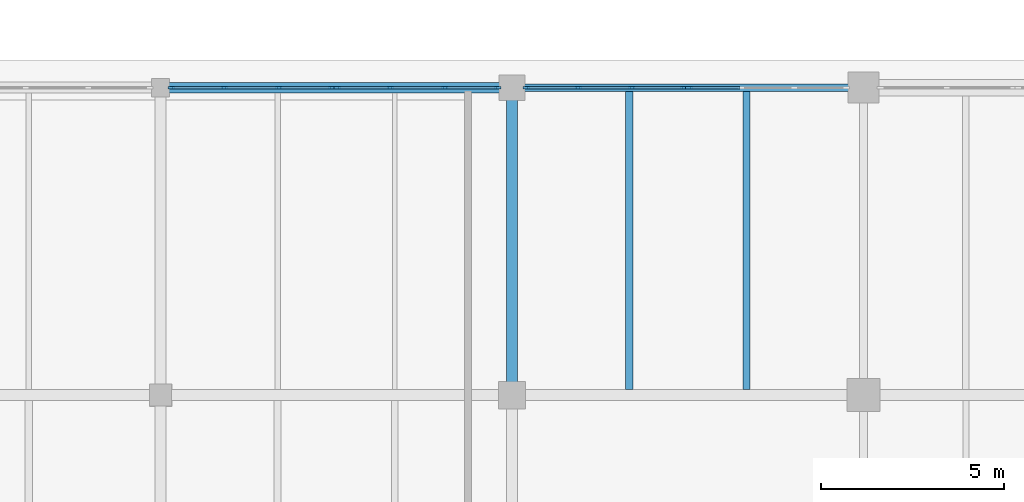
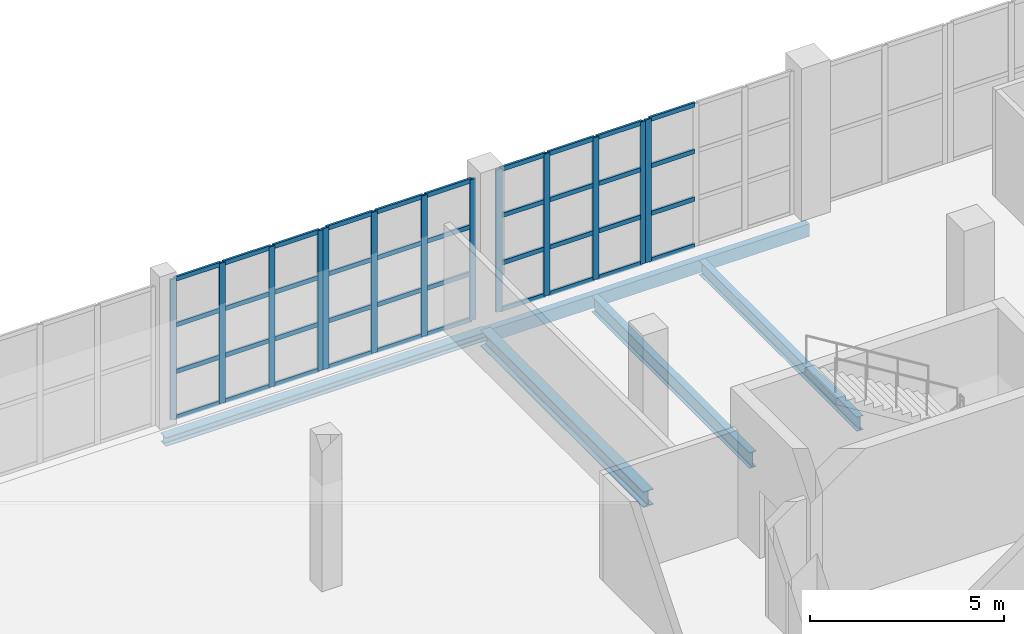
# One storey, part 13 of 121: 53 members, 5 beams, 4 elements without a shape of their own.
"""IFC4 building model written with IfcOpenShell, lengths in metres."""

from ifc_helpers import new_model, si_unit, direction, frame, origin, origin_2d, place, context, subcontext, project, spatial, rectangle, hollow_rectangle, i_section, extrude, material, layer, layer_set, material_profile, profile_set, type_object, element, aggregate, save


model = new_model("IFC4")

# Units and contexts
model_context = context("Model", 3, precision=1e-05, world=origin(), true_north=direction((0.0, 1.0)))
body_context = subcontext(model_context, "Body", "Model", "MODEL_VIEW")
ifc_project = project(units=[si_unit("LENGTHUNIT", "METRE"), si_unit("AREAUNIT", "SQUARE_METRE"), si_unit("VOLUMEUNIT", "CUBIC_METRE"), si_unit("PLANEANGLEUNIT", "RADIAN"), si_unit("MASSUNIT", "GRAM", prefix="KILO")], contexts=[model_context])

# Site, building, storey
site_placement = place(None, origin())
site = spatial("IfcSite", under=ifc_project, at=site_placement, CompositionType="ELEMENT")
building_placement = place(site_placement, origin())
building = spatial("IfcBuilding", under=site, at=building_placement, Name="Zereglee Splitstone Museum", CompositionType="ELEMENT")
storey_placement = place(building_placement, origin())
storey = spatial("IfcBuildingStorey", under=building, at=storey_placement, Name="L00", CompositionType="ELEMENT", Elevation=0.0)

# Curtain wall, member
ifc_material_1 = material(Name="Triple-glazed low-E argon glass and bronze-anodised aluminium", Category="aluminium")
ifc_layer_1 = layer(ifc_material_1, 0.179931640625)
ifc_layer_set_1 = layer_set([ifc_layer_1], Name="Triple-glazed low-E argon glass and bronze-anodised aluminium")
curtain_wall_type_1 = type_object("IfcCurtainWallType", Name="CW-0436-450", PredefinedType="USERDEFINED", material=ifc_layer_set_1)
curtain_wall_1_placement = place(storey_placement, origin())
curtain_wall_1 = element("IfcCurtainWall", 1, at=curtain_wall_1_placement, inside=storey, type_object=curtain_wall_type_1, Name="Glazed Curtain Wall CW-0436-450 (L00)", ObjectType="GLAZED CURTAIN WALL", PredefinedType="USERDEFINED")
ifc_material_2 = material(Name="Thermally broken bronze-anodised aluminium", Category="aluminium")
ifc_material_profile_1 = material_profile(ifc_material_2, rectangle(XDim=0.06494140625, YDim=0.179931640625, at=origin_2d()), Name="CW MULL 65x180")
ifc_profile_set_1 = profile_set([ifc_material_profile_1], Name="Thermally broken bronze-anodised aluminium")
member_type_1 = type_object("IfcMemberType", Name="CWM-01", PredefinedType="MULLION", material=ifc_profile_set_1)
member_1_placement = place(storey_placement, frame((34.8349609375, 38.39990234375, 0.0), z_axis=(0.0, 0.0, 1.0), x_axis=(0.0, -1.0, 0.0)))
member_1 = element("IfcMember", 2, at=member_1_placement, type_object=member_type_1, Name="CW-0436-450 mullion 4", PredefinedType="MULLION", context=body_context, shape_type="SweptSolid", body=[
    extrude(rectangle(XDim=0.06494140625, YDim=0.179931640625, at=origin_2d()), origin(), (0.0, 0.0, 1.0), 4.5),
])

# Curtain wall, members
ifc_layer_2 = layer(ifc_material_1, 0.179931640625)
ifc_layer_set_2 = layer_set([ifc_layer_2], Name="Triple-glazed low-E argon glass and bronze-anodised aluminium")
curtain_wall_type_2 = type_object("IfcCurtainWallType", Name="CW-0436-448", PredefinedType="USERDEFINED", material=ifc_layer_set_2)
curtain_wall_2_placement = place(storey_placement, origin())
curtain_wall_2 = element("IfcCurtainWall", 3, at=curtain_wall_2_placement, inside=storey, type_object=curtain_wall_type_2, Name="Glazed Curtain Wall CW-0436-448 (L00)", ObjectType="GLAZED CURTAIN WALL", PredefinedType="USERDEFINED")
member_2_placement = place(storey_placement, frame((34.68994140625, 38.39990234375, 0.0), z_axis=(0.0, 0.0, 1.0), x_axis=(0.0, -1.0, 0.0)))
member_2 = element("IfcMember", 4, at=member_2_placement, type_object=member_type_1, Name="CW-0436-448 mullion 1", PredefinedType="MULLION", context=body_context, shape_type="SweptSolid", body=[
    extrude(rectangle(XDim=0.06494140625, YDim=0.179931640625, at=origin_2d()), origin(), (0.0, 0.0, 1.0), 4.47998046875),
])
member_3_placement = place(storey_placement, frame((33.267578125, 38.39990234375, 0.0), z_axis=(0.0, 0.0, 1.0), x_axis=(0.0, -1.0, 0.0)))
member_3 = element("IfcMember", 5, at=member_3_placement, type_object=member_type_1, Name="CW-0436-448 mullion 2", PredefinedType="MULLION", context=body_context, shape_type="SweptSolid", body=[
    extrude(rectangle(XDim=0.06494140625, YDim=0.179931640625, at=origin_2d()), origin(), (0.0, 0.0, 1.0), 4.47998046875),
])
member_4_placement = place(storey_placement, frame((31.812744140625, 38.39990234375, 0.0), z_axis=(0.0, 0.0, 1.0), x_axis=(0.0, -1.0, 0.0)))
member_4 = element("IfcMember", 6, at=member_4_placement, type_object=member_type_1, Name="CW-0436-448 mullion 3", PredefinedType="MULLION", context=body_context, shape_type="SweptSolid", body=[
    extrude(rectangle(XDim=0.06494140625, YDim=0.179931640625, at=origin_2d()), origin(), (0.0, 0.0, 1.0), 4.47998046875),
])
member_5_placement = place(storey_placement, frame((30.390380859375, 38.39990234375, 0.0), z_axis=(0.0, 0.0, 1.0), x_axis=(0.0, -1.0, 0.0)))
member_5 = element("IfcMember", 7, at=member_5_placement, type_object=member_type_1, Name="CW-0436-448 mullion 4", PredefinedType="MULLION", context=body_context, shape_type="SweptSolid", body=[
    extrude(rectangle(XDim=0.06494140625, YDim=0.179931640625, at=origin_2d()), origin(), (0.0, 0.0, 1.0), 4.47998046875),
])

ifc_layer_3 = layer(ifc_material_1, 0.179931640625)
ifc_layer_set_3 = layer_set([ifc_layer_3], Name="Triple-glazed low-E argon glass and bronze-anodised aluminium")
curtain_wall_type_3 = type_object("IfcCurtainWallType", Name="CW-0445-444", PredefinedType="USERDEFINED", material=ifc_layer_set_3)
curtain_wall_3_placement = place(storey_placement, origin())
curtain_wall_3 = element("IfcCurtainWall", 8, at=curtain_wall_3_placement, inside=storey, type_object=curtain_wall_type_3, Name="Glazed Curtain Wall CW-0445-444 (L00)", ObjectType="GLAZED CURTAIN WALL", PredefinedType="USERDEFINED")
member_6_placement = place(storey_placement, frame((29.609619140625, 38.39990234375, 0.0), z_axis=(0.0, 0.0, 1.0), x_axis=(0.0, -1.0, 0.0)))
member_6 = element("IfcMember", 9, at=member_6_placement, type_object=member_type_1, Name="CW-0445-444 mullion 1", PredefinedType="MULLION", context=body_context, shape_type="SweptSolid", body=[
    extrude(rectangle(XDim=0.06494140625, YDim=0.179931640625, at=origin_2d()), origin(), (0.0, 0.0, 1.0), 4.43994140625),
])
member_7_placement = place(storey_placement, frame((28.157958984375, 38.39990234375, 0.0), z_axis=(0.0, 0.0, 1.0), x_axis=(0.0, -1.0, 0.0)))
member_7 = element("IfcMember", 10, at=member_7_placement, type_object=member_type_1, Name="CW-0445-444 mullion 2", PredefinedType="MULLION", context=body_context, shape_type="SweptSolid", body=[
    extrude(rectangle(XDim=0.06494140625, YDim=0.179931640625, at=origin_2d()), origin(), (0.0, 0.0, 1.0), 4.43994140625),
])
member_8_placement = place(storey_placement, frame((26.674072265625, 38.39990234375, 0.0), z_axis=(0.0, 0.0, 1.0), x_axis=(0.0, -1.0, 0.0)))
member_8 = element("IfcMember", 11, at=member_8_placement, type_object=member_type_1, Name="CW-0445-444 mullion 3", PredefinedType="MULLION", context=body_context, shape_type="SweptSolid", body=[
    extrude(rectangle(XDim=0.06494140625, YDim=0.179931640625, at=origin_2d()), origin(), (0.0, 0.0, 1.0), 4.43994140625),
])
member_9_placement = place(storey_placement, frame((25.222412109375, 38.39990234375, 0.0), z_axis=(0.0, 0.0, 1.0), x_axis=(0.0, -1.0, 0.0)))
member_9 = element("IfcMember", 12, at=member_9_placement, type_object=member_type_1, Name="CW-0445-444 mullion 4", PredefinedType="MULLION", context=body_context, shape_type="SweptSolid", body=[
    extrude(rectangle(XDim=0.06494140625, YDim=0.179931640625, at=origin_2d()), origin(), (0.0, 0.0, 1.0), 4.43994140625),
])

ifc_layer_4 = layer(ifc_material_1, 0.179931640625)
ifc_layer_set_4 = layer_set([ifc_layer_4], Name="Triple-glazed low-E argon glass and bronze-anodised aluminium")
curtain_wall_type_4 = type_object("IfcCurtainWallType", Name="CW-0445-442", PredefinedType="USERDEFINED", material=ifc_layer_set_4)
curtain_wall_4_placement = place(storey_placement, origin())
curtain_wall_4 = element("IfcCurtainWall", 13, at=curtain_wall_4_placement, inside=storey, type_object=curtain_wall_type_4, Name="Glazed Curtain Wall CW-0445-442 (L00)", ObjectType="GLAZED CURTAIN WALL", PredefinedType="USERDEFINED")
member_10_placement = place(storey_placement, frame((25.077392578125, 38.39990234375, 0.0), z_axis=(0.0, 0.0, 1.0), x_axis=(0.0, -1.0, 0.0)))
member_10 = element("IfcMember", 14, at=member_10_placement, type_object=member_type_1, Name="CW-0445-442 mullion 1", PredefinedType="MULLION", context=body_context, shape_type="SweptSolid", body=[
    extrude(rectangle(XDim=0.06494140625, YDim=0.179931640625, at=origin_2d()), origin(), (0.0, 0.0, 1.0), 4.419921875),
])
member_11_placement = place(storey_placement, frame((23.6259765625, 38.39990234375, 0.0), z_axis=(0.0, 0.0, 1.0), x_axis=(0.0, -1.0, 0.0)))
member_11 = element("IfcMember", 15, at=member_11_placement, type_object=member_type_1, Name="CW-0445-442 mullion 2", PredefinedType="MULLION", context=body_context, shape_type="SweptSolid", body=[
    extrude(rectangle(XDim=0.06494140625, YDim=0.179931640625, at=origin_2d()), origin(), (0.0, 0.0, 1.0), 4.419921875),
])
member_12_placement = place(storey_placement, frame((22.14208984375, 38.39990234375, 0.0), z_axis=(0.0, 0.0, 1.0), x_axis=(0.0, -1.0, 0.0)))
member_12 = element("IfcMember", 16, at=member_12_placement, type_object=member_type_1, Name="CW-0445-442 mullion 3", PredefinedType="MULLION", context=body_context, shape_type="SweptSolid", body=[
    extrude(rectangle(XDim=0.06494140625, YDim=0.179931640625, at=origin_2d()), origin(), (0.0, 0.0, 1.0), 4.419921875),
])
member_13_placement = place(storey_placement, frame((20.6904296875, 38.39990234375, 0.0), z_axis=(0.0, 0.0, 1.0), x_axis=(0.0, -1.0, 0.0)))
member_13 = element("IfcMember", 17, at=member_13_placement, type_object=member_type_1, Name="CW-0445-442 mullion 4", PredefinedType="MULLION", context=body_context, shape_type="SweptSolid", body=[
    extrude(rectangle(XDim=0.06494140625, YDim=0.179931640625, at=origin_2d()), origin(), (0.0, 0.0, 1.0), 4.419921875),
])

# Member
ifc_material_profile_2 = material_profile(ifc_material_2, rectangle(XDim=0.06494140625, YDim=0.139892578125, at=origin_2d()), Name="CW TRAN 65x140")
ifc_profile_set_2 = profile_set([ifc_material_profile_2], Name="Thermally broken bronze-anodised aluminium")
member_type_2 = type_object("IfcMemberType", Name="CWT-01", PredefinedType="USERDEFINED", material=ifc_profile_set_2)
member_14_placement = place(storey_placement, frame((36.224853515625, 38.39990234375, 0.032470703125), z_axis=(-1.0, 0.0, 0.0), x_axis=(0.0, -1.0, 0.0)))
member_14 = element("IfcMember", 18, at=member_14_placement, type_object=member_type_2, Name="CW-0436-450 transom 3.1", ObjectType="TRANSOM", PredefinedType="USERDEFINED", context=body_context, shape_type="SweptSolid", body=[
    extrude(rectangle(XDim=0.06494140625, YDim=0.139892578125, at=origin_2d()), origin(), (0.0, 0.0, 1.0), 1.357421875),
])

member_15_placement = place(storey_placement, frame((36.224853515625, 38.39990234375, 1.5), z_axis=(-1.0, 0.0, 0.0), x_axis=(0.0, -1.0, 0.0)))
member_15 = element("IfcMember", 19, at=member_15_placement, type_object=member_type_2, Name="CW-0436-450 transom 3.2", ObjectType="TRANSOM", PredefinedType="USERDEFINED", context=body_context, shape_type="SweptSolid", body=[
    extrude(rectangle(XDim=0.06494140625, YDim=0.139892578125, at=origin_2d()), origin(), (0.0, 0.0, 1.0), 1.357421875),
])

member_16_placement = place(storey_placement, frame((36.224853515625, 38.39990234375, 3.0), z_axis=(-1.0, 0.0, 0.0), x_axis=(0.0, -1.0, 0.0)))
member_16 = element("IfcMember", 20, at=member_16_placement, type_object=member_type_2, Name="CW-0436-450 transom 3.3", ObjectType="TRANSOM", PredefinedType="USERDEFINED", context=body_context, shape_type="SweptSolid", body=[
    extrude(rectangle(XDim=0.06494140625, YDim=0.139892578125, at=origin_2d()), origin(), (0.0, 0.0, 1.0), 1.357421875),
])

member_17_placement = place(storey_placement, frame((36.224853515625, 38.39990234375, 4.467529296875), z_axis=(-1.0, 0.0, 0.0), x_axis=(0.0, -1.0, 0.0)))
member_17 = element("IfcMember", 21, at=member_17_placement, type_object=member_type_2, Name="CW-0436-450 transom 3.4", ObjectType="TRANSOM", PredefinedType="USERDEFINED", context=body_context, shape_type="SweptSolid", body=[
    extrude(rectangle(XDim=0.06494140625, YDim=0.139892578125, at=origin_2d()), origin(), (0.0, 0.0, 1.0), 1.357421875),
])

aggregate(curtain_wall_1, [member_1, member_14, member_15, member_16, member_17])

member_18_placement = place(storey_placement, frame((34.657470703125, 38.39990234375, 0.032470703125), z_axis=(-1.0, 0.0, 0.0), x_axis=(0.0, -1.0, 0.0)))
member_18 = element("IfcMember", 22, at=member_18_placement, type_object=member_type_2, Name="CW-0436-448 transom 1.1", ObjectType="TRANSOM", PredefinedType="USERDEFINED", context=body_context, shape_type="SweptSolid", body=[
    extrude(rectangle(XDim=0.06494140625, YDim=0.139892578125, at=origin_2d()), origin(), (0.0, 0.0, 1.0), 1.357421875),
])

member_19_placement = place(storey_placement, frame((34.657470703125, 38.39990234375, 1.493408203125), z_axis=(-1.0, 0.0, 0.0), x_axis=(0.0, -1.0, 0.0)))
member_19 = element("IfcMember", 23, at=member_19_placement, type_object=member_type_2, Name="CW-0436-448 transom 1.2", ObjectType="TRANSOM", PredefinedType="USERDEFINED", context=body_context, shape_type="SweptSolid", body=[
    extrude(rectangle(XDim=0.06494140625, YDim=0.139892578125, at=origin_2d()), origin(), (0.0, 0.0, 1.0), 1.357421875),
])

member_20_placement = place(storey_placement, frame((34.657470703125, 38.39990234375, 2.98681640625), z_axis=(-1.0, 0.0, 0.0), x_axis=(0.0, -1.0, 0.0)))
member_20 = element("IfcMember", 24, at=member_20_placement, type_object=member_type_2, Name="CW-0436-448 transom 1.3", ObjectType="TRANSOM", PredefinedType="USERDEFINED", context=body_context, shape_type="SweptSolid", body=[
    extrude(rectangle(XDim=0.06494140625, YDim=0.139892578125, at=origin_2d()), origin(), (0.0, 0.0, 1.0), 1.357421875),
])

member_21_placement = place(storey_placement, frame((34.657470703125, 38.39990234375, 4.447509765625), z_axis=(-1.0, 0.0, 0.0), x_axis=(0.0, -1.0, 0.0)))
member_21 = element("IfcMember", 25, at=member_21_placement, type_object=member_type_2, Name="CW-0436-448 transom 1.4", ObjectType="TRANSOM", PredefinedType="USERDEFINED", context=body_context, shape_type="SweptSolid", body=[
    extrude(rectangle(XDim=0.06494140625, YDim=0.139892578125, at=origin_2d()), origin(), (0.0, 0.0, 1.0), 1.357421875),
])

member_22_placement = place(storey_placement, frame((33.235107421875, 38.39990234375, 0.032470703125), z_axis=(-1.0, 0.0, 0.0), x_axis=(0.0, -1.0, 0.0)))
member_22 = element("IfcMember", 26, at=member_22_placement, type_object=member_type_2, Name="CW-0436-448 transom 2.1", ObjectType="TRANSOM", PredefinedType="USERDEFINED", context=body_context, shape_type="SweptSolid", body=[
    extrude(rectangle(XDim=0.06494140625, YDim=0.139892578125, at=origin_2d()), origin(), (0.0, 0.0, 1.0), 1.389892578125),
])

member_23_placement = place(storey_placement, frame((33.235107421875, 38.39990234375, 1.493408203125), z_axis=(-1.0, 0.0, 0.0), x_axis=(0.0, -1.0, 0.0)))
member_23 = element("IfcMember", 27, at=member_23_placement, type_object=member_type_2, Name="CW-0436-448 transom 2.2", ObjectType="TRANSOM", PredefinedType="USERDEFINED", context=body_context, shape_type="SweptSolid", body=[
    extrude(rectangle(XDim=0.06494140625, YDim=0.139892578125, at=origin_2d()), origin(), (0.0, 0.0, 1.0), 1.389892578125),
])

member_24_placement = place(storey_placement, frame((33.235107421875, 38.39990234375, 2.98681640625), z_axis=(-1.0, 0.0, 0.0), x_axis=(0.0, -1.0, 0.0)))
member_24 = element("IfcMember", 28, at=member_24_placement, type_object=member_type_2, Name="CW-0436-448 transom 2.3", ObjectType="TRANSOM", PredefinedType="USERDEFINED", context=body_context, shape_type="SweptSolid", body=[
    extrude(rectangle(XDim=0.06494140625, YDim=0.139892578125, at=origin_2d()), origin(), (0.0, 0.0, 1.0), 1.389892578125),
])

member_25_placement = place(storey_placement, frame((33.235107421875, 38.39990234375, 4.447509765625), z_axis=(-1.0, 0.0, 0.0), x_axis=(0.0, -1.0, 0.0)))
member_25 = element("IfcMember", 29, at=member_25_placement, type_object=member_type_2, Name="CW-0436-448 transom 2.4", ObjectType="TRANSOM", PredefinedType="USERDEFINED", context=body_context, shape_type="SweptSolid", body=[
    extrude(rectangle(XDim=0.06494140625, YDim=0.139892578125, at=origin_2d()), origin(), (0.0, 0.0, 1.0), 1.389892578125),
])

member_26_placement = place(storey_placement, frame((31.7802734375, 38.39990234375, 0.032470703125), z_axis=(-1.0, 0.0, 0.0), x_axis=(0.0, -1.0, 0.0)))
member_26 = element("IfcMember", 30, at=member_26_placement, type_object=member_type_2, Name="CW-0436-448 transom 3.1", ObjectType="TRANSOM", PredefinedType="USERDEFINED", context=body_context, shape_type="SweptSolid", body=[
    extrude(rectangle(XDim=0.06494140625, YDim=0.139892578125, at=origin_2d()), origin(), (0.0, 0.0, 1.0), 1.357177734375),
])

member_27_placement = place(storey_placement, frame((31.7802734375, 38.39990234375, 1.493408203125), z_axis=(-1.0, 0.0, 0.0), x_axis=(0.0, -1.0, 0.0)))
member_27 = element("IfcMember", 31, at=member_27_placement, type_object=member_type_2, Name="CW-0436-448 transom 3.2", ObjectType="TRANSOM", PredefinedType="USERDEFINED", context=body_context, shape_type="SweptSolid", body=[
    extrude(rectangle(XDim=0.06494140625, YDim=0.139892578125, at=origin_2d()), origin(), (0.0, 0.0, 1.0), 1.357177734375),
])

member_28_placement = place(storey_placement, frame((31.7802734375, 38.39990234375, 2.98681640625), z_axis=(-1.0, 0.0, 0.0), x_axis=(0.0, -1.0, 0.0)))
member_28 = element("IfcMember", 32, at=member_28_placement, type_object=member_type_2, Name="CW-0436-448 transom 3.3", ObjectType="TRANSOM", PredefinedType="USERDEFINED", context=body_context, shape_type="SweptSolid", body=[
    extrude(rectangle(XDim=0.06494140625, YDim=0.139892578125, at=origin_2d()), origin(), (0.0, 0.0, 1.0), 1.357177734375),
])

member_29_placement = place(storey_placement, frame((31.7802734375, 38.39990234375, 4.447509765625), z_axis=(-1.0, 0.0, 0.0), x_axis=(0.0, -1.0, 0.0)))
member_29 = element("IfcMember", 33, at=member_29_placement, type_object=member_type_2, Name="CW-0436-448 transom 3.4", ObjectType="TRANSOM", PredefinedType="USERDEFINED", context=body_context, shape_type="SweptSolid", body=[
    extrude(rectangle(XDim=0.06494140625, YDim=0.139892578125, at=origin_2d()), origin(), (0.0, 0.0, 1.0), 1.357177734375),
])

aggregate(curtain_wall_2, [member_2, member_3, member_4, member_5, member_18, member_19, member_20, member_21, member_22, member_23, member_24, member_25, member_26, member_27, member_28, member_29])

member_30_placement = place(storey_placement, frame((29.576904296875, 38.39990234375, 0.032470703125), z_axis=(-1.0, 0.0, 0.0), x_axis=(0.0, -1.0, 0.0)))
member_30 = element("IfcMember", 34, at=member_30_placement, type_object=member_type_2, Name="CW-0445-444 transom 1.1", ObjectType="TRANSOM", PredefinedType="USERDEFINED", context=body_context, shape_type="SweptSolid", body=[
    extrude(rectangle(XDim=0.06494140625, YDim=0.139892578125, at=origin_2d()), origin(), (0.0, 0.0, 1.0), 1.386474609375),
])

member_31_placement = place(storey_placement, frame((29.576904296875, 38.39990234375, 1.47998046875), z_axis=(-1.0, 0.0, 0.0), x_axis=(0.0, -1.0, 0.0)))
member_31 = element("IfcMember", 35, at=member_31_placement, type_object=member_type_2, Name="CW-0445-444 transom 1.2", ObjectType="TRANSOM", PredefinedType="USERDEFINED", context=body_context, shape_type="SweptSolid", body=[
    extrude(rectangle(XDim=0.06494140625, YDim=0.139892578125, at=origin_2d()), origin(), (0.0, 0.0, 1.0), 1.386474609375),
])

member_32_placement = place(storey_placement, frame((29.576904296875, 38.39990234375, 2.9599609375), z_axis=(-1.0, 0.0, 0.0), x_axis=(0.0, -1.0, 0.0)))
member_32 = element("IfcMember", 36, at=member_32_placement, type_object=member_type_2, Name="CW-0445-444 transom 1.3", ObjectType="TRANSOM", PredefinedType="USERDEFINED", context=body_context, shape_type="SweptSolid", body=[
    extrude(rectangle(XDim=0.06494140625, YDim=0.139892578125, at=origin_2d()), origin(), (0.0, 0.0, 1.0), 1.386474609375),
])

member_33_placement = place(storey_placement, frame((29.576904296875, 38.39990234375, 4.407470703125), z_axis=(-1.0, 0.0, 0.0), x_axis=(0.0, -1.0, 0.0)))
member_33 = element("IfcMember", 37, at=member_33_placement, type_object=member_type_2, Name="CW-0445-444 transom 1.4", ObjectType="TRANSOM", PredefinedType="USERDEFINED", context=body_context, shape_type="SweptSolid", body=[
    extrude(rectangle(XDim=0.06494140625, YDim=0.139892578125, at=origin_2d()), origin(), (0.0, 0.0, 1.0), 1.386474609375),
])

member_34_placement = place(storey_placement, frame((28.12548828125, 38.39990234375, 0.032470703125), z_axis=(-1.0, 0.0, 0.0), x_axis=(0.0, -1.0, 0.0)))
member_34 = element("IfcMember", 38, at=member_34_placement, type_object=member_type_2, Name="CW-0445-444 transom 2.1", ObjectType="TRANSOM", PredefinedType="USERDEFINED", context=body_context, shape_type="SweptSolid", body=[
    extrude(rectangle(XDim=0.06494140625, YDim=0.139892578125, at=origin_2d()), origin(), (0.0, 0.0, 1.0), 1.4189453125),
])

member_35_placement = place(storey_placement, frame((28.12548828125, 38.39990234375, 1.47998046875), z_axis=(-1.0, 0.0, 0.0), x_axis=(0.0, -1.0, 0.0)))
member_35 = element("IfcMember", 39, at=member_35_placement, type_object=member_type_2, Name="CW-0445-444 transom 2.2", ObjectType="TRANSOM", PredefinedType="USERDEFINED", context=body_context, shape_type="SweptSolid", body=[
    extrude(rectangle(XDim=0.06494140625, YDim=0.139892578125, at=origin_2d()), origin(), (0.0, 0.0, 1.0), 1.4189453125),
])

member_36_placement = place(storey_placement, frame((28.12548828125, 38.39990234375, 2.9599609375), z_axis=(-1.0, 0.0, 0.0), x_axis=(0.0, -1.0, 0.0)))
member_36 = element("IfcMember", 40, at=member_36_placement, type_object=member_type_2, Name="CW-0445-444 transom 2.3", ObjectType="TRANSOM", PredefinedType="USERDEFINED", context=body_context, shape_type="SweptSolid", body=[
    extrude(rectangle(XDim=0.06494140625, YDim=0.139892578125, at=origin_2d()), origin(), (0.0, 0.0, 1.0), 1.4189453125),
])

member_37_placement = place(storey_placement, frame((28.12548828125, 38.39990234375, 4.407470703125), z_axis=(-1.0, 0.0, 0.0), x_axis=(0.0, -1.0, 0.0)))
member_37 = element("IfcMember", 41, at=member_37_placement, type_object=member_type_2, Name="CW-0445-444 transom 2.4", ObjectType="TRANSOM", PredefinedType="USERDEFINED", context=body_context, shape_type="SweptSolid", body=[
    extrude(rectangle(XDim=0.06494140625, YDim=0.139892578125, at=origin_2d()), origin(), (0.0, 0.0, 1.0), 1.4189453125),
])

member_38_placement = place(storey_placement, frame((26.6416015625, 38.39990234375, 0.032470703125), z_axis=(-1.0, 0.0, 0.0), x_axis=(0.0, -1.0, 0.0)))
member_38 = element("IfcMember", 42, at=member_38_placement, type_object=member_type_2, Name="CW-0445-444 transom 3.1", ObjectType="TRANSOM", PredefinedType="USERDEFINED", context=body_context, shape_type="SweptSolid", body=[
    extrude(rectangle(XDim=0.06494140625, YDim=0.139892578125, at=origin_2d()), origin(), (0.0, 0.0, 1.0), 1.38671875),
])

member_39_placement = place(storey_placement, frame((26.6416015625, 38.39990234375, 1.47998046875), z_axis=(-1.0, 0.0, 0.0), x_axis=(0.0, -1.0, 0.0)))
member_39 = element("IfcMember", 43, at=member_39_placement, type_object=member_type_2, Name="CW-0445-444 transom 3.2", ObjectType="TRANSOM", PredefinedType="USERDEFINED", context=body_context, shape_type="SweptSolid", body=[
    extrude(rectangle(XDim=0.06494140625, YDim=0.139892578125, at=origin_2d()), origin(), (0.0, 0.0, 1.0), 1.38671875),
])

member_40_placement = place(storey_placement, frame((26.6416015625, 38.39990234375, 2.9599609375), z_axis=(-1.0, 0.0, 0.0), x_axis=(0.0, -1.0, 0.0)))
member_40 = element("IfcMember", 44, at=member_40_placement, type_object=member_type_2, Name="CW-0445-444 transom 3.3", ObjectType="TRANSOM", PredefinedType="USERDEFINED", context=body_context, shape_type="SweptSolid", body=[
    extrude(rectangle(XDim=0.06494140625, YDim=0.139892578125, at=origin_2d()), origin(), (0.0, 0.0, 1.0), 1.38671875),
])

member_41_placement = place(storey_placement, frame((26.6416015625, 38.39990234375, 4.407470703125), z_axis=(-1.0, 0.0, 0.0), x_axis=(0.0, -1.0, 0.0)))
member_41 = element("IfcMember", 45, at=member_41_placement, type_object=member_type_2, Name="CW-0445-444 transom 3.4", ObjectType="TRANSOM", PredefinedType="USERDEFINED", context=body_context, shape_type="SweptSolid", body=[
    extrude(rectangle(XDim=0.06494140625, YDim=0.139892578125, at=origin_2d()), origin(), (0.0, 0.0, 1.0), 1.38671875),
])

aggregate(curtain_wall_3, [member_6, member_7, member_8, member_9, member_30, member_31, member_32, member_33, member_34, member_35, member_36, member_37, member_38, member_39, member_40, member_41])

member_42_placement = place(storey_placement, frame((25.044921875, 38.39990234375, 0.032470703125), z_axis=(-1.0, 0.0, 0.0), x_axis=(0.0, -1.0, 0.0)))
member_42 = element("IfcMember", 46, at=member_42_placement, type_object=member_type_2, Name="CW-0445-442 transom 1.1", ObjectType="TRANSOM", PredefinedType="USERDEFINED", context=body_context, shape_type="SweptSolid", body=[
    extrude(rectangle(XDim=0.06494140625, YDim=0.139892578125, at=origin_2d()), origin(), (0.0, 0.0, 1.0), 1.386474609375),
])

member_43_placement = place(storey_placement, frame((25.044921875, 38.39990234375, 1.473388671875), z_axis=(-1.0, 0.0, 0.0), x_axis=(0.0, -1.0, 0.0)))
member_43 = element("IfcMember", 47, at=member_43_placement, type_object=member_type_2, Name="CW-0445-442 transom 1.2", ObjectType="TRANSOM", PredefinedType="USERDEFINED", context=body_context, shape_type="SweptSolid", body=[
    extrude(rectangle(XDim=0.06494140625, YDim=0.139892578125, at=origin_2d()), origin(), (0.0, 0.0, 1.0), 1.386474609375),
])

member_44_placement = place(storey_placement, frame((25.044921875, 38.39990234375, 2.94677734375), z_axis=(-1.0, 0.0, 0.0), x_axis=(0.0, -1.0, 0.0)))
member_44 = element("IfcMember", 48, at=member_44_placement, type_object=member_type_2, Name="CW-0445-442 transom 1.3", ObjectType="TRANSOM", PredefinedType="USERDEFINED", context=body_context, shape_type="SweptSolid", body=[
    extrude(rectangle(XDim=0.06494140625, YDim=0.139892578125, at=origin_2d()), origin(), (0.0, 0.0, 1.0), 1.386474609375),
])

member_45_placement = place(storey_placement, frame((25.044921875, 38.39990234375, 4.387451171875), z_axis=(-1.0, 0.0, 0.0), x_axis=(0.0, -1.0, 0.0)))
member_45 = element("IfcMember", 49, at=member_45_placement, type_object=member_type_2, Name="CW-0445-442 transom 1.4", ObjectType="TRANSOM", PredefinedType="USERDEFINED", context=body_context, shape_type="SweptSolid", body=[
    extrude(rectangle(XDim=0.06494140625, YDim=0.139892578125, at=origin_2d()), origin(), (0.0, 0.0, 1.0), 1.386474609375),
])

member_46_placement = place(storey_placement, frame((23.593505859375, 38.39990234375, 0.032470703125), z_axis=(-1.0, 0.0, 0.0), x_axis=(0.0, -1.0, 0.0)))
member_46 = element("IfcMember", 50, at=member_46_placement, type_object=member_type_2, Name="CW-0445-442 transom 2.1", ObjectType="TRANSOM", PredefinedType="USERDEFINED", context=body_context, shape_type="SweptSolid", body=[
    extrude(rectangle(XDim=0.06494140625, YDim=0.139892578125, at=origin_2d()), origin(), (0.0, 0.0, 1.0), 1.4189453125),
])

member_47_placement = place(storey_placement, frame((23.593505859375, 38.39990234375, 1.473388671875), z_axis=(-1.0, 0.0, 0.0), x_axis=(0.0, -1.0, 0.0)))
member_47 = element("IfcMember", 51, at=member_47_placement, type_object=member_type_2, Name="CW-0445-442 transom 2.2", ObjectType="TRANSOM", PredefinedType="USERDEFINED", context=body_context, shape_type="SweptSolid", body=[
    extrude(rectangle(XDim=0.06494140625, YDim=0.139892578125, at=origin_2d()), origin(), (0.0, 0.0, 1.0), 1.4189453125),
])

member_48_placement = place(storey_placement, frame((23.593505859375, 38.39990234375, 2.94677734375), z_axis=(-1.0, 0.0, 0.0), x_axis=(0.0, -1.0, 0.0)))
member_48 = element("IfcMember", 52, at=member_48_placement, type_object=member_type_2, Name="CW-0445-442 transom 2.3", ObjectType="TRANSOM", PredefinedType="USERDEFINED", context=body_context, shape_type="SweptSolid", body=[
    extrude(rectangle(XDim=0.06494140625, YDim=0.139892578125, at=origin_2d()), origin(), (0.0, 0.0, 1.0), 1.4189453125),
])

member_49_placement = place(storey_placement, frame((23.593505859375, 38.39990234375, 4.387451171875), z_axis=(-1.0, 0.0, 0.0), x_axis=(0.0, -1.0, 0.0)))
member_49 = element("IfcMember", 53, at=member_49_placement, type_object=member_type_2, Name="CW-0445-442 transom 2.4", ObjectType="TRANSOM", PredefinedType="USERDEFINED", context=body_context, shape_type="SweptSolid", body=[
    extrude(rectangle(XDim=0.06494140625, YDim=0.139892578125, at=origin_2d()), origin(), (0.0, 0.0, 1.0), 1.4189453125),
])

member_50_placement = place(storey_placement, frame((22.109619140625, 38.39990234375, 0.032470703125), z_axis=(-1.0, 0.0, 0.0), x_axis=(0.0, -1.0, 0.0)))
member_50 = element("IfcMember", 54, at=member_50_placement, type_object=member_type_2, Name="CW-0445-442 transom 3.1", ObjectType="TRANSOM", PredefinedType="USERDEFINED", context=body_context, shape_type="SweptSolid", body=[
    extrude(rectangle(XDim=0.06494140625, YDim=0.139892578125, at=origin_2d()), origin(), (0.0, 0.0, 1.0), 1.38671875),
])

member_51_placement = place(storey_placement, frame((22.109619140625, 38.39990234375, 1.473388671875), z_axis=(-1.0, 0.0, 0.0), x_axis=(0.0, -1.0, 0.0)))
member_51 = element("IfcMember", 55, at=member_51_placement, type_object=member_type_2, Name="CW-0445-442 transom 3.2", ObjectType="TRANSOM", PredefinedType="USERDEFINED", context=body_context, shape_type="SweptSolid", body=[
    extrude(rectangle(XDim=0.06494140625, YDim=0.139892578125, at=origin_2d()), origin(), (0.0, 0.0, 1.0), 1.38671875),
])

member_52_placement = place(storey_placement, frame((22.109619140625, 38.39990234375, 2.94677734375), z_axis=(-1.0, 0.0, 0.0), x_axis=(0.0, -1.0, 0.0)))
member_52 = element("IfcMember", 56, at=member_52_placement, type_object=member_type_2, Name="CW-0445-442 transom 3.3", ObjectType="TRANSOM", PredefinedType="USERDEFINED", context=body_context, shape_type="SweptSolid", body=[
    extrude(rectangle(XDim=0.06494140625, YDim=0.139892578125, at=origin_2d()), origin(), (0.0, 0.0, 1.0), 1.38671875),
])

member_53_placement = place(storey_placement, frame((22.109619140625, 38.39990234375, 4.387451171875), z_axis=(-1.0, 0.0, 0.0), x_axis=(0.0, -1.0, 0.0)))
member_53 = element("IfcMember", 57, at=member_53_placement, type_object=member_type_2, Name="CW-0445-442 transom 3.4", ObjectType="TRANSOM", PredefinedType="USERDEFINED", context=body_context, shape_type="SweptSolid", body=[
    extrude(rectangle(XDim=0.06494140625, YDim=0.139892578125, at=origin_2d()), origin(), (0.0, 0.0, 1.0), 1.38671875),
])

aggregate(curtain_wall_4, [member_10, member_11, member_12, member_13, member_42, member_43, member_44, member_45, member_46, member_47, member_48, member_49, member_50, member_51, member_52, member_53])

# Beams
ifc_material_3 = material(Name="Steel S355J2", Category="steel")
ifc_material_profile_3 = material_profile(ifc_material_3, i_section(OverallWidth=0.300048828125, OverallDepth=0.5, WebThickness=0.014404296875, FlangeThickness=0.028076171875, FilletRadius=0.027099609375, at=origin_2d()), Name="HE 500 B")
ifc_profile_set_3 = profile_set([ifc_material_profile_3], Name="Steel S355J2")
beam_type_1 = type_object("IfcBeamType", Name="BG-12", PredefinedType="BEAM", material=ifc_profile_set_3)
beam_1_placement = place(storey_placement, frame((30.0, 30.0, -0.669921875), z_axis=(0.0, 1.0, 0.0), x_axis=(-1.0, 0.0, 0.0)))
element("IfcBeam", 58, at=beam_1_placement, inside=storey, type_object=beam_type_1, Name="Primary Girder L00 5 (30.0-38.4)", PredefinedType="BEAM", context=body_context, shape_type="SweptSolid", body=[
    extrude(i_section(OverallWidth=0.300048828125, OverallDepth=0.5, WebThickness=0.014404296875, FlangeThickness=0.028076171875, FilletRadius=0.027099609375, at=origin_2d()), origin(), (0.0, 0.0, 1.0), 8.39990234375),
])
ifc_material_profile_4 = material_profile(ifc_material_3, i_section(OverallWidth=0.18994140625, OverallDepth=0.449951171875, WebThickness=0.009521484375, FlangeThickness=0.0146484375, FilletRadius=0.02099609375, at=origin_2d()), Name="IPE 450")
ifc_profile_set_4 = profile_set([ifc_material_profile_4], Name="Steel S355J2")
beam_type_2 = type_object("IfcBeamType", Name="BJ-02", PredefinedType="JOIST", material=ifc_profile_set_4)
beam_2_placement = place(storey_placement, frame((36.39990234375, 30.14990234375, -0.64501953125), z_axis=(0.0, 1.0, 0.0), x_axis=(-1.0, 0.0, 0.0)))
element("IfcBeam", 59, at=beam_2_placement, inside=storey, type_object=beam_type_2, Name="Secondary Floor Joist L00-0344", PredefinedType="JOIST", context=body_context, shape_type="SweptSolid", body=[
    extrude(i_section(OverallWidth=0.18994140625, OverallDepth=0.449951171875, WebThickness=0.009521484375, FlangeThickness=0.0146484375, FilletRadius=0.02099609375, at=origin_2d()), origin(), (0.0, 0.0, 1.0), 8.150146484375),
])
ifc_material_profile_5 = material_profile(ifc_material_3, i_section(OverallWidth=0.199951171875, OverallDepth=0.5, WebThickness=0.01025390625, FlangeThickness=0.01611328125, FilletRadius=0.02099609375, at=origin_2d()), Name="IPE 500")
ifc_profile_set_5 = profile_set([ifc_material_profile_5], Name="Steel S355J2")
beam_type_3 = type_object("IfcBeamType", Name="BJ-01", PredefinedType="JOIST", material=ifc_profile_set_5)
beam_3_placement = place(storey_placement, frame((33.199951171875, 30.14990234375, -0.669921875), z_axis=(0.0, 1.0, 0.0), x_axis=(-1.0, 0.0, 0.0)))
element("IfcBeam", 60, at=beam_3_placement, inside=storey, type_object=beam_type_3, Name="Secondary Floor Joist L00-0343", PredefinedType="JOIST", context=body_context, shape_type="SweptSolid", body=[
    extrude(i_section(OverallWidth=0.199951171875, OverallDepth=0.5, WebThickness=0.01025390625, FlangeThickness=0.01611328125, FilletRadius=0.02099609375, at=origin_2d()), origin(), (0.0, 0.0, 1.0), 8.150146484375),
])
ifc_material_profile_6 = material_profile(ifc_material_3, i_section(OverallWidth=0.280029296875, OverallDepth=0.280029296875, WebThickness=0.010498046875, FlangeThickness=0.01806640625, FilletRadius=0.02392578125, at=origin_2d()), Name="HE 280 B")
ifc_profile_set_6 = profile_set([ifc_material_profile_6], Name="Steel S355J2")
beam_type_4 = type_object("IfcBeamType", Name="SP-03", PredefinedType="SPANDREL", material=ifc_profile_set_6)
beam_4_placement = place(storey_placement, frame((20.39990234375, 38.39990234375, -0.56005859375), z_axis=(1.0, 0.0, 0.0), x_axis=(0.0, 1.0, 0.0)))
element("IfcBeam", 61, at=beam_4_placement, inside=storey, type_object=beam_type_4, Name="Primary Girder L00 E (20.4-30.0)", PredefinedType="SPANDREL", context=body_context, shape_type="SweptSolid", body=[
    extrude(i_section(OverallWidth=0.280029296875, OverallDepth=0.280029296875, WebThickness=0.010498046875, FlangeThickness=0.01806640625, FilletRadius=0.02392578125, at=origin_2d()), origin(), (0.0, 0.0, 1.0), 9.60009765625),
])
ifc_material_4 = material(Name="Steel S355J2H", Category="steel")
ifc_material_profile_7 = material_profile(ifc_material_4, hollow_rectangle(XDim=0.199951171875, YDim=0.39990234375, WallThickness=0.01611328125, at=origin_2d()), Name="RHS 400x200x16")
ifc_profile_set_7 = profile_set([ifc_material_profile_7], Name="Steel S355J2H")
beam_type_5 = type_object("IfcBeamType", Name="SP-04", PredefinedType="SPANDREL", material=ifc_profile_set_7)
beam_5_placement = place(storey_placement, frame((30.0, 38.39990234375, -0.6201171875), z_axis=(1.0, 0.0, 0.0), x_axis=(0.0, 1.0, 0.0)))
element("IfcBeam", 62, at=beam_5_placement, inside=storey, type_object=beam_type_5, Name="Primary Girder L00 E (30.0-39.6)", PredefinedType="SPANDREL", context=body_context, shape_type="SweptSolid", body=[
    extrude(hollow_rectangle(XDim=0.199951171875, YDim=0.39990234375, WallThickness=0.01611328125, at=origin_2d()), origin(), (0.0, 0.0, 1.0), 9.60009765625),
])

save(model, "model.ifc")
